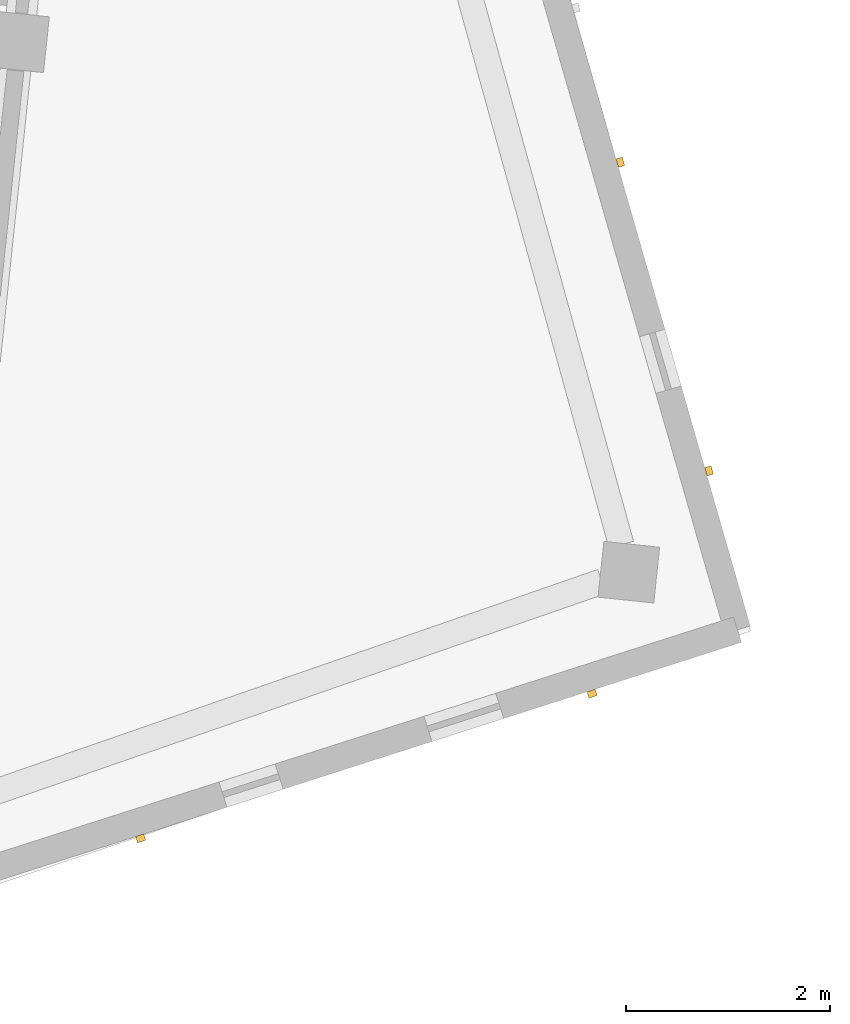
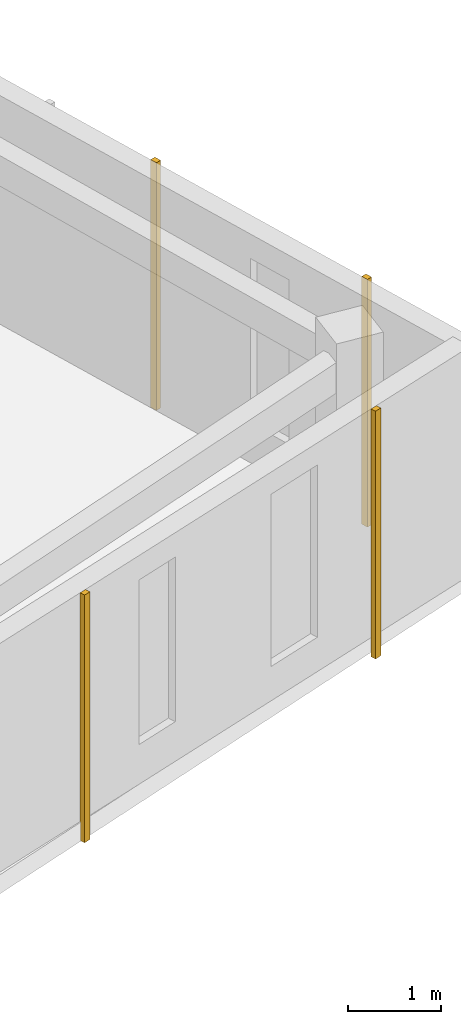
# One storey, part 64 of 66: 4 coverings.
"""IFC4 building model written with IfcOpenShell, lengths in metres."""

import ifcopenshell
import ifcopenshell.guid

model = None  # the IFC model being written
_history = None  # IfcOwnerHistory: only IFC2X3 demands one
_inside = {}  # id of a spatial element -> (the spatial element, [elements in it])
_under = {}  # id of a project, library or spatial element -> (it, [spatial elements below it])
_declared = {}  # id of a project -> (the project, [libraries it declares])
_typed = {}  # id of a type object -> (the type object, [elements of that type])
_made_of = {}  # id of a material, layer set ... -> (it, [elements and type objects made of it])


def new_model(schema):
    """Start an empty IFC model of exactly this schema.

    Asked for "IFC4X3", IfcOpenShell would pick the latest addendum, in which some entities
    have other attributes; the version numbers below select the first issue.
    IFC2X3 requires an IfcOwnerHistory on every rooted entity: one is made here for all.
    """
    global model, _history
    if schema == "IFC4X3":
        model = ifcopenshell.file(schema_version=(4, 3, 0, 0))
    else:
        model = ifcopenshell.file(schema=schema)
    _inside.clear()
    _under.clear()
    _declared.clear()
    _typed.clear()
    _made_of.clear()
    _history = None
    if model.schema == "IFC2X3":
        org = make("IfcOrganization", Name="unknown")
        user = make(
            "IfcPersonAndOrganization",
            ThePerson=make("IfcPerson", FamilyName="unknown"),
            TheOrganization=org,
        )
        app = make(
            "IfcApplication",
            ApplicationDeveloper=org,
            Version="unknown",
            ApplicationFullName="unknown",
            ApplicationIdentifier="unknown",
        )
        _history = make(
            "IfcOwnerHistory",
            OwningUser=user,
            OwningApplication=app,
            ChangeAction="ADDED",
            CreationDate=0,
        )
    return model


def make(cls, **values):
    """One entity of the class cls with the attributes given. An attribute that is None is left unset."""
    return model.create_entity(
        cls, **{name: value for name, value in values.items() if value is not None}
    )


def rooted(cls, **values):
    """An entity with a GlobalId (a new one), such as an element, a storey or a relation."""
    return make(cls, GlobalId=ifcopenshell.guid.new(), OwnerHistory=_history, **values)


def si_unit(unit_type, name, prefix=None):
    """IfcSIUnit, for example si_unit("LENGTHUNIT", "METRE", prefix="MILLI")."""
    return make("IfcSIUnit", UnitType=unit_type, Prefix=prefix, Name=name)


def assignment(units):
    """IfcUnitAssignment: the units of a project."""
    return None if units is None else make("IfcUnitAssignment", Units=units)


def point(xyz):
    """IfcCartesianPoint."""
    return None if xyz is None else make("IfcCartesianPoint", Coordinates=xyz)


def direction(xyz):
    """IfcDirection."""
    return None if xyz is None else make("IfcDirection", DirectionRatios=xyz)


def frame(location, z_axis=None, x_axis=None):
    """IfcAxis2Placement3D, a coordinate frame: its origin and axes. An axis left out is left unset."""
    return make(
        "IfcAxis2Placement3D",
        Location=point(location),
        Axis=direction(z_axis),
        RefDirection=direction(x_axis),
    )


def frame_2d(location, x_axis=None):
    """IfcAxis2Placement2D, a coordinate frame in the plane: its origin and x axis."""
    return make(
        "IfcAxis2Placement2D", Location=point(location), RefDirection=direction(x_axis)
    )


def origin():
    """The frame at (0, 0, 0) with its axes left unset."""
    return frame((0.0, 0.0, 0.0))


def origin_2d():
    """The frame at (0, 0) in the plane with its x axis left unset."""
    return frame_2d((0.0, 0.0))


def place(relative_to, where):
    """IfcLocalPlacement: puts the frame where relative to a parent placement (None: the world)."""
    return make(
        "IfcLocalPlacement", PlacementRelTo=relative_to, RelativePlacement=where
    )


def context(
    kind, dimensions, precision=None, world=None, true_north=None, identifier=None
):
    """IfcGeometricRepresentationContext, for example the 3D "Model" context."""
    return make(
        "IfcGeometricRepresentationContext",
        ContextIdentifier=identifier,
        ContextType=kind,
        CoordinateSpaceDimension=dimensions,
        Precision=precision,
        WorldCoordinateSystem=world,
        TrueNorth=true_north,
    )


def subcontext(parent, identifier, kind, view, scale=None):
    """IfcGeometricRepresentationSubContext, for example "Body" below "Model"."""
    return make(
        "IfcGeometricRepresentationSubContext",
        ContextIdentifier=identifier,
        ContextType=kind,
        ParentContext=parent,
        TargetScale=scale,
        TargetView=view,
    )


def project(units=None, contexts=None):
    """IfcProject with its units and contexts."""
    return rooted(
        "IfcProject",
        Name="project",
        RepresentationContexts=contexts,
        UnitsInContext=assignment(units),
    )


def spatial(cls, under=None, at=None, **own):
    """A site, building, storey or space (cls), placed at a placement, below another one or the project."""
    s = rooted(cls, ObjectPlacement=at, **own)
    if under is not None:
        _under.setdefault(under.id(), (under, []))[1].append(s)
    return s


def profile(cls, at=None, kind="AREA", **sizes):
    """A parametric profile (cls). Its sizes go by their IFC names, for example OverallWidth=200.0."""
    return make(cls, ProfileType=kind, Position=at, **sizes)


def rectangle(**sizes):
    """IfcRectangleProfileDef."""
    return profile("IfcRectangleProfileDef", **sizes)


def extrude(swept, where, along, depth):
    """IfcExtrudedAreaSolid: the profile swept, set in the frame where, extruded along a direction by depth."""
    return make(
        "IfcExtrudedAreaSolid",
        SweptArea=swept,
        Position=where,
        ExtrudedDirection=direction(along),
        Depth=depth,
    )


def shape(context_of_items, identifier, shape_type, items):
    """IfcShapeRepresentation: the items that make up one representation, for example the "Body"."""
    return make(
        "IfcShapeRepresentation",
        ContextOfItems=context_of_items,
        RepresentationIdentifier=identifier,
        RepresentationType=shape_type,
        Items=items,
    )


def material(Name=None, Category=None):
    """IfcMaterial."""
    return make("IfcMaterial", Name=Name, Category=Category)


def layer(
    of_material, thickness, ventilated=None, Name=None, Category=None, Priority=None
):
    """IfcMaterialLayer: one layer of a wall or slab, of a material (None: an air gap)."""
    return make(
        "IfcMaterialLayer",
        Material=of_material,
        LayerThickness=thickness,
        IsVentilated=ventilated,
        Name=Name,
        Category=Category,
        Priority=Priority,
    )


def layer_set(layers, Name=None):
    """IfcMaterialLayerSet."""
    return make("IfcMaterialLayerSet", MaterialLayers=layers, LayerSetName=Name)


def made_of(thing, what):
    """Note that an element or type object is made of a material, layer set ...; save() writes the relation."""
    if what is not None:
        _made_of.setdefault(what.id(), (what, []))[1].append(thing)
    return thing


def type_object(cls, material=None, **own):
    """A type object (cls), such as IfcWallType, which elements share."""
    return made_of(rooted(cls, **own), material)


def element(
    cls,
    number,
    at=None,
    inside=None,
    cuts=None,
    type_object=None,
    material=None,
    context=None,
    identifier="Body",
    shape_type=None,
    held_by="IfcProductDefinitionShape",
    body=None,
    shapes=None,
    **own,
):
    """One element of the class cls, such as IfcWall. Its Tag is "e" and its number.

    at: its placement. inside: the storey or other place that contains it. cuts: it is an
    opening in that element (IfcRelVoidsElement). A single representation is given by context,
    identifier, shape_type and body (its items); several are given by shapes. held_by: the class
    of the entity that holds the representations. save() writes the other relations.
    """
    e = rooted(cls, Tag="e%d" % number, ObjectPlacement=at, **own)
    if body is not None:
        shapes = [shape(context, identifier, shape_type, body)]
    if shapes is not None:
        e.Representation = make(held_by, Representations=shapes)
    if inside is not None:
        _inside.setdefault(inside.id(), (inside, []))[1].append(e)
    if cuts is not None:
        rooted(
            "IfcRelVoidsElement", RelatingBuildingElement=cuts, RelatedOpeningElement=e
        )
    if type_object is not None:
        _typed.setdefault(type_object.id(), (type_object, []))[1].append(e)
    return made_of(e, material)


def aggregate(whole, parts):
    """IfcRelAggregates: a whole, such as a stair, and the parts it consists of."""
    return rooted("IfcRelAggregates", RelatingObject=whole, RelatedObjects=parts)


def save(model, path):
    """Write the relations noted so far, then the file.

    IfcRelAggregates (storeys below a building ...), IfcRelContainedInSpatialStructure (elements
    in a storey), IfcRelDefinesByType, IfcRelAssociatesMaterial and IfcRelDeclares: one each for
    every whole, place, type object, material and project.
    """
    for whole, parts in _under.values():
        aggregate(whole, parts)
    for where, things in _inside.values():
        rooted(
            "IfcRelContainedInSpatialStructure",
            RelatedElements=things,
            RelatingStructure=where,
        )
    for kind, things in _typed.values():
        rooted("IfcRelDefinesByType", RelatedObjects=things, RelatingType=kind)
    for what, things in _made_of.values():
        rooted("IfcRelAssociatesMaterial", RelatedObjects=things, RelatingMaterial=what)
    for by, libraries in _declared.values():
        rooted("IfcRelDeclares", RelatingContext=by, RelatedDefinitions=libraries)
    model.write(path)


model = new_model("IFC4")

# Units and contexts
model_context = context("Model", 3, precision=1e-05, world=origin(), true_north=direction((0.0, 1.0)))
body_context = subcontext(model_context, "Body", "Model", "MODEL_VIEW")
ifc_project = project(units=[si_unit("LENGTHUNIT", "METRE"), si_unit("AREAUNIT", "SQUARE_METRE"), si_unit("VOLUMEUNIT", "CUBIC_METRE"), si_unit("PLANEANGLEUNIT", "RADIAN"), si_unit("MASSUNIT", "GRAM", prefix="KILO")], contexts=[model_context])

# Site, building, storey
site_placement = place(None, origin())
site = spatial("IfcSite", under=ifc_project, at=site_placement, CompositionType="ELEMENT")
building_placement = place(site_placement, origin())
building = spatial("IfcBuilding", under=site, at=building_placement, Name="Kestramere Prow Commons", CompositionType="ELEMENT")
storey_placement = place(building_placement, frame((0.0, 0.0, 14.89990234375)))
storey = spatial("IfcBuildingStorey", under=building, at=storey_placement, Name="L04", CompositionType="ELEMENT", Elevation=14.89990234375)

# Coverings
ifc_material = material(Name="Weathered Zinc-Titanium Standing-Seam Cladding")
ifc_layer = layer(ifc_material, 0.074951171875)
ifc_layer_set = layer_set([ifc_layer], Name="Weathered Zinc-Titanium Standing-Seam Cladding")
covering_type = type_object("IfcCoveringType", Name="COV-CLAD-SEAM", PredefinedType="CLADDING", material=ifc_layer_set)
for number, where, z_axis, x_axis, name in (
    (1, (164.437255859375, 96.159423828125, -0.25), (0.0, 0.0, 1.0), (0.27631844013, -0.961066136977, 0.0), "EW-B-L04-PRW-N Standing-Seam Rib 9"),
    (2, (165.307861328125, 93.131103515625, -0.25), (0.0, 0.0, 1.0), (0.27631844013, -0.961066136977, 0.0), "EW-B-L04-PRW-N Standing-Seam Rib 11"),
    (3, (164.16015625, 90.94384765625, -0.25), (0.0, 0.0, 1.0), (-0.952283464374, -0.305215011884, 0.0), "EW-B-L04-PRW-S Standing-Seam Rib 1"),
    (4, (159.73046875, 89.524169921875, -0.25), (0.0, 0.0, 1.0), (-0.952283464374, -0.305215011884, 0.0), "EW-B-L04-PRW-S Standing-Seam Rib 4"),
):
    element("IfcCovering", number, at=place(storey_placement, frame(where, z_axis=z_axis, x_axis=x_axis)), inside=storey, type_object=covering_type, Name=name, PredefinedType="CLADDING", context=body_context, shape_type="SweptSolid", body=[
        extrude(rectangle(XDim=0.0849609375, YDim=0.06494140625, at=origin_2d()), origin(), (0.0, 0.0, 1.0), 3.25),
    ])

save(model, "model.ifc")
